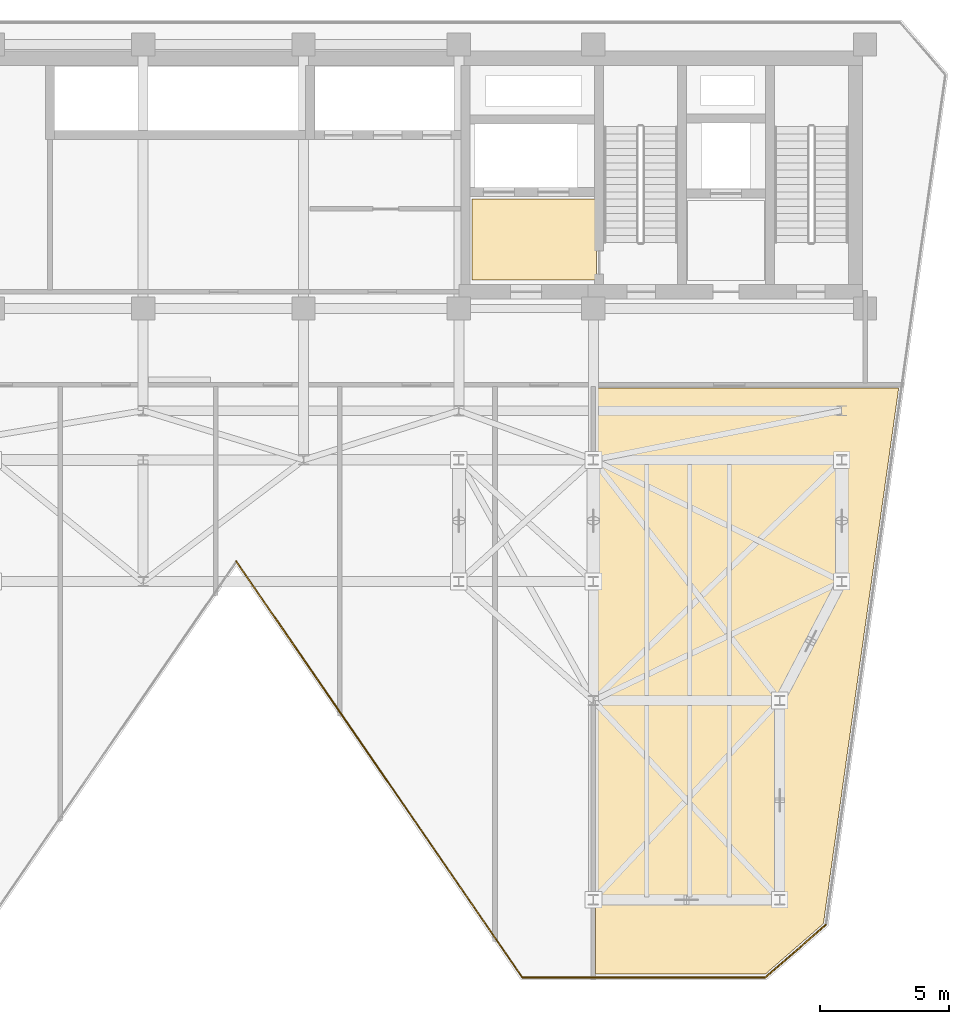
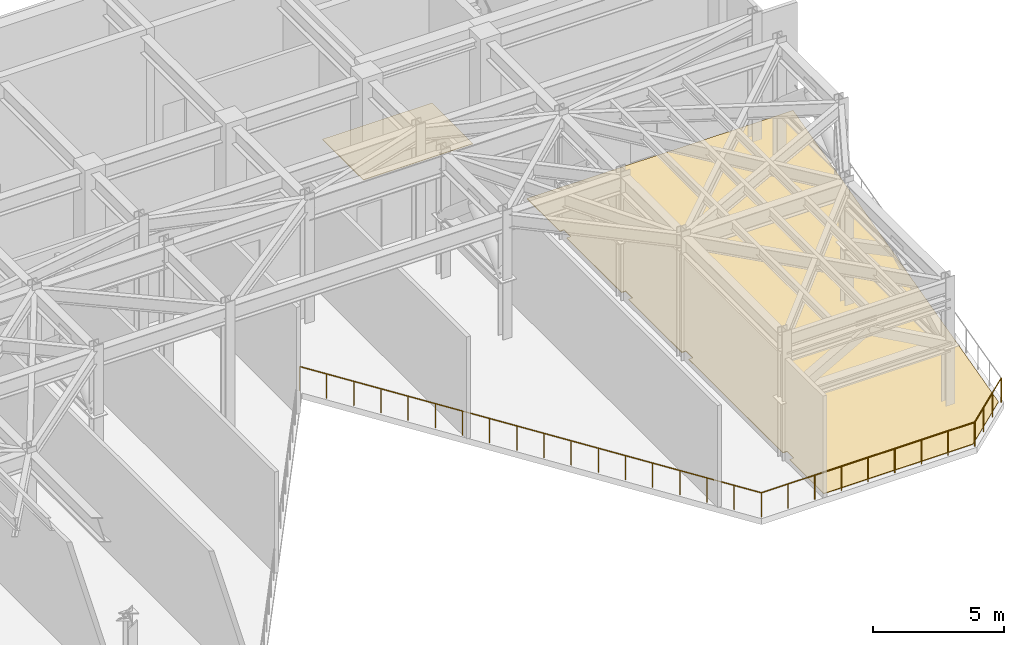
# One storey, part 8 of 12: 3 railings, 2 coverings.
"""IFC4 building model written with IfcOpenShell, lengths in metres."""

import ifcopenshell
import ifcopenshell.guid

model = None  # the IFC model being written
_history = None  # IfcOwnerHistory: only IFC2X3 demands one
_inside = {}  # id of a spatial element -> (the spatial element, [elements in it])
_under = {}  # id of a project, library or spatial element -> (it, [spatial elements below it])
_declared = {}  # id of a project -> (the project, [libraries it declares])
_typed = {}  # id of a type object -> (the type object, [elements of that type])
_made_of = {}  # id of a material, layer set ... -> (it, [elements and type objects made of it])


def new_model(schema):
    """Start an empty IFC model of exactly this schema.

    Asked for "IFC4X3", IfcOpenShell would pick the latest addendum, in which some entities
    have other attributes; the version numbers below select the first issue.
    IFC2X3 requires an IfcOwnerHistory on every rooted entity: one is made here for all.
    """
    global model, _history
    if schema == "IFC4X3":
        model = ifcopenshell.file(schema_version=(4, 3, 0, 0))
    else:
        model = ifcopenshell.file(schema=schema)
    _inside.clear()
    _under.clear()
    _declared.clear()
    _typed.clear()
    _made_of.clear()
    _history = None
    if model.schema == "IFC2X3":
        org = make("IfcOrganization", Name="unknown")
        user = make(
            "IfcPersonAndOrganization",
            ThePerson=make("IfcPerson", FamilyName="unknown"),
            TheOrganization=org,
        )
        app = make(
            "IfcApplication",
            ApplicationDeveloper=org,
            Version="unknown",
            ApplicationFullName="unknown",
            ApplicationIdentifier="unknown",
        )
        _history = make(
            "IfcOwnerHistory",
            OwningUser=user,
            OwningApplication=app,
            ChangeAction="ADDED",
            CreationDate=0,
        )
    return model


def make(cls, **values):
    """One entity of the class cls with the attributes given. An attribute that is None is left unset."""
    return model.create_entity(
        cls, **{name: value for name, value in values.items() if value is not None}
    )


def rooted(cls, **values):
    """An entity with a GlobalId (a new one), such as an element, a storey or a relation."""
    return make(cls, GlobalId=ifcopenshell.guid.new(), OwnerHistory=_history, **values)


def si_unit(unit_type, name, prefix=None):
    """IfcSIUnit, for example si_unit("LENGTHUNIT", "METRE", prefix="MILLI")."""
    return make("IfcSIUnit", UnitType=unit_type, Prefix=prefix, Name=name)


def assignment(units):
    """IfcUnitAssignment: the units of a project."""
    return None if units is None else make("IfcUnitAssignment", Units=units)


def point(xyz):
    """IfcCartesianPoint."""
    return None if xyz is None else make("IfcCartesianPoint", Coordinates=xyz)


def direction(xyz):
    """IfcDirection."""
    return None if xyz is None else make("IfcDirection", DirectionRatios=xyz)


def frame(location, z_axis=None, x_axis=None):
    """IfcAxis2Placement3D, a coordinate frame: its origin and axes. An axis left out is left unset."""
    return make(
        "IfcAxis2Placement3D",
        Location=point(location),
        Axis=direction(z_axis),
        RefDirection=direction(x_axis),
    )


def frame_2d(location, x_axis=None):
    """IfcAxis2Placement2D, a coordinate frame in the plane: its origin and x axis."""
    return make(
        "IfcAxis2Placement2D", Location=point(location), RefDirection=direction(x_axis)
    )


def origin():
    """The frame at (0, 0, 0) with its axes left unset."""
    return frame((0.0, 0.0, 0.0))


def origin_2d():
    """The frame at (0, 0) in the plane with its x axis left unset."""
    return frame_2d((0.0, 0.0))


def place(relative_to, where):
    """IfcLocalPlacement: puts the frame where relative to a parent placement (None: the world)."""
    return make(
        "IfcLocalPlacement", PlacementRelTo=relative_to, RelativePlacement=where
    )


def context(
    kind, dimensions, precision=None, world=None, true_north=None, identifier=None
):
    """IfcGeometricRepresentationContext, for example the 3D "Model" context."""
    return make(
        "IfcGeometricRepresentationContext",
        ContextIdentifier=identifier,
        ContextType=kind,
        CoordinateSpaceDimension=dimensions,
        Precision=precision,
        WorldCoordinateSystem=world,
        TrueNorth=true_north,
    )


def subcontext(parent, identifier, kind, view, scale=None):
    """IfcGeometricRepresentationSubContext, for example "Body" below "Model"."""
    return make(
        "IfcGeometricRepresentationSubContext",
        ContextIdentifier=identifier,
        ContextType=kind,
        ParentContext=parent,
        TargetScale=scale,
        TargetView=view,
    )


def project(units=None, contexts=None):
    """IfcProject with its units and contexts."""
    return rooted(
        "IfcProject",
        Name="project",
        RepresentationContexts=contexts,
        UnitsInContext=assignment(units),
    )


def spatial(cls, under=None, at=None, **own):
    """A site, building, storey or space (cls), placed at a placement, below another one or the project."""
    s = rooted(cls, ObjectPlacement=at, **own)
    if under is not None:
        _under.setdefault(under.id(), (under, []))[1].append(s)
    return s


def polyline(points):
    """IfcPolyline through the points."""
    return make("IfcPolyline", Points=[point(p) for p in points])


def profile(cls, at=None, kind="AREA", **sizes):
    """A parametric profile (cls). Its sizes go by their IFC names, for example OverallWidth=200.0."""
    return make(cls, ProfileType=kind, Position=at, **sizes)


def circle(**sizes):
    """IfcCircleProfileDef."""
    return profile("IfcCircleProfileDef", **sizes)


def outline(outer, holes=None, kind="AREA"):
    """IfcArbitraryClosedProfileDef: a profile drawn as a closed curve; with holes, ...WithVoids."""
    if holes is None:
        return make("IfcArbitraryClosedProfileDef", ProfileType=kind, OuterCurve=outer)
    return make(
        "IfcArbitraryProfileDefWithVoids",
        ProfileType=kind,
        OuterCurve=outer,
        InnerCurves=holes,
    )


def extrude(swept, where, along, depth):
    """IfcExtrudedAreaSolid: the profile swept, set in the frame where, extruded along a direction by depth."""
    return make(
        "IfcExtrudedAreaSolid",
        SweptArea=swept,
        Position=where,
        ExtrudedDirection=direction(along),
        Depth=depth,
    )


def shape(context_of_items, identifier, shape_type, items):
    """IfcShapeRepresentation: the items that make up one representation, for example the "Body"."""
    return make(
        "IfcShapeRepresentation",
        ContextOfItems=context_of_items,
        RepresentationIdentifier=identifier,
        RepresentationType=shape_type,
        Items=items,
    )


def material(Name=None, Category=None):
    """IfcMaterial."""
    return make("IfcMaterial", Name=Name, Category=Category)


def layer(
    of_material, thickness, ventilated=None, Name=None, Category=None, Priority=None
):
    """IfcMaterialLayer: one layer of a wall or slab, of a material (None: an air gap)."""
    return make(
        "IfcMaterialLayer",
        Material=of_material,
        LayerThickness=thickness,
        IsVentilated=ventilated,
        Name=Name,
        Category=Category,
        Priority=Priority,
    )


def layer_set(layers, Name=None):
    """IfcMaterialLayerSet."""
    return make("IfcMaterialLayerSet", MaterialLayers=layers, LayerSetName=Name)


def made_of(thing, what):
    """Note that an element or type object is made of a material, layer set ...; save() writes the relation."""
    if what is not None:
        _made_of.setdefault(what.id(), (what, []))[1].append(thing)
    return thing


def type_object(cls, material=None, **own):
    """A type object (cls), such as IfcWallType, which elements share."""
    return made_of(rooted(cls, **own), material)


def element(
    cls,
    number,
    at=None,
    inside=None,
    cuts=None,
    type_object=None,
    material=None,
    context=None,
    identifier="Body",
    shape_type=None,
    held_by="IfcProductDefinitionShape",
    body=None,
    shapes=None,
    **own,
):
    """One element of the class cls, such as IfcWall. Its Tag is "e" and its number.

    at: its placement. inside: the storey or other place that contains it. cuts: it is an
    opening in that element (IfcRelVoidsElement). A single representation is given by context,
    identifier, shape_type and body (its items); several are given by shapes. held_by: the class
    of the entity that holds the representations. save() writes the other relations.
    """
    e = rooted(cls, Tag="e%d" % number, ObjectPlacement=at, **own)
    if body is not None:
        shapes = [shape(context, identifier, shape_type, body)]
    if shapes is not None:
        e.Representation = make(held_by, Representations=shapes)
    if inside is not None:
        _inside.setdefault(inside.id(), (inside, []))[1].append(e)
    if cuts is not None:
        rooted(
            "IfcRelVoidsElement", RelatingBuildingElement=cuts, RelatedOpeningElement=e
        )
    if type_object is not None:
        _typed.setdefault(type_object.id(), (type_object, []))[1].append(e)
    return made_of(e, material)


def aggregate(whole, parts):
    """IfcRelAggregates: a whole, such as a stair, and the parts it consists of."""
    return rooted("IfcRelAggregates", RelatingObject=whole, RelatedObjects=parts)


def save(model, path):
    """Write the relations noted so far, then the file.

    IfcRelAggregates (storeys below a building ...), IfcRelContainedInSpatialStructure (elements
    in a storey), IfcRelDefinesByType, IfcRelAssociatesMaterial and IfcRelDeclares: one each for
    every whole, place, type object, material and project.
    """
    for whole, parts in _under.values():
        aggregate(whole, parts)
    for where, things in _inside.values():
        rooted(
            "IfcRelContainedInSpatialStructure",
            RelatedElements=things,
            RelatingStructure=where,
        )
    for kind, things in _typed.values():
        rooted("IfcRelDefinesByType", RelatedObjects=things, RelatingType=kind)
    for what, things in _made_of.values():
        rooted("IfcRelAssociatesMaterial", RelatedObjects=things, RelatingMaterial=what)
    for by, libraries in _declared.values():
        rooted("IfcRelDeclares", RelatingContext=by, RelatedDefinitions=libraries)
    model.write(path)


model = new_model("IFC4")

# Units and contexts
model_context = context("Model", 3, precision=1e-05, world=origin(), true_north=direction((0.0, 1.0)))
body_context = subcontext(model_context, "Body", "Model", "MODEL_VIEW")
ifc_project = project(units=[si_unit("LENGTHUNIT", "METRE"), si_unit("AREAUNIT", "SQUARE_METRE"), si_unit("VOLUMEUNIT", "CUBIC_METRE"), si_unit("PLANEANGLEUNIT", "RADIAN"), si_unit("MASSUNIT", "GRAM", prefix="KILO")], contexts=[model_context])

# Site, building, storey
site_placement = place(None, origin())
site = spatial("IfcSite", under=ifc_project, at=site_placement, CompositionType="ELEMENT")
building_placement = place(site_placement, origin())
building = spatial("IfcBuilding", under=site, at=building_placement, Name="Kravanh Interchange Tower", CompositionType="ELEMENT")
storey_placement = place(building_placement, frame((0.0, 0.0, 225.0)))
storey = spatial("IfcBuildingStorey", under=building, at=storey_placement, Name="L54", CompositionType="ELEMENT", Elevation=225.0)

# Coverings
ifc_material_1 = material(Name="Cementitious Terrazzo Tile")
ifc_layer_1 = layer(ifc_material_1, 0.030029296875)
ifc_layer_set_1 = layer_set([ifc_layer_1], Name="Honed Terrazzo Lobby Flooring 30mm")
covering_type = type_object("IfcCoveringType", Name="Honed Terrazzo Lobby Flooring 30mm", PredefinedType="FLOORING", material=ifc_layer_set_1)
covering_1_placement = place(storey_placement, origin())
element("IfcCovering", 1, at=covering_1_placement, inside=storey, type_object=covering_type, Name="L54 Firefighting Lobby Floor Finish", PredefinedType="FLOORING", context=body_context, shape_type="SweptSolid", body=[
    extrude(outline(polyline([(56.1201171875, 38.4599609375), (51.300048828125, 38.4599609375), (51.300048828125, 41.580078125), (56.1201171875, 41.580078125), (56.1201171875, 38.4599609375)])), origin(), (0.0, 0.0, 1.0), 0.030029296875),
])
covering_2_placement = place(storey_placement, origin())
element("IfcCovering", 2, at=covering_2_placement, inside=storey, type_object=covering_type, Name="L54 Refuge Holding Area Floor Finish", PredefinedType="FLOORING", context=body_context, shape_type="SweptSolid", body=[
    extrude(outline(polyline([(56.080078125, 14.760498046875), (56.080078125, 21.939453125), (56.259521484375, 21.939453125), (56.259521484375, 22.46044921875), (56.080078125, 22.46044921875), (56.080078125, 26.53955078125), (56.259521484375, 26.53955078125), (56.259521484375, 27.060546875), (56.080078125, 27.060546875), (56.080078125, 31.239501953125), (56.259521484375, 31.239501953125), (56.259521484375, 31.760498046875), (56.080078125, 31.760498046875), (56.080078125, 34.27001953125), (67.798095703125, 34.27001953125), (64.890625, 13.58154296875), (62.6455078125, 11.6298828125), (56.080078125, 11.6298828125), (56.080078125, 14.239501953125), (56.259521484375, 14.239501953125), (56.259521484375, 14.760498046875), (56.080078125, 14.760498046875)])), origin(), (0.0, 0.0, 1.0), 0.030029296875),
])

# Railings
ifc_material_2 = material(Name="Structural Steel S355", Category="steel")
ifc_layer_2 = layer(ifc_material_2, 0.070068359375)
ifc_layer_set_2 = layer_set([ifc_layer_2], Name="Wind Storey Perimeter Safety Guardrail Structural Steel S355 1150mm")
railing_type = type_object("IfcRailingType", Name="Wind Storey Perimeter Safety Guardrail Structural Steel S355 1150mm", PredefinedType="GUARDRAIL", material=ifc_layer_set_2)
railing_1_placement = place(storey_placement, frame((64.984375, 13.530517578125, 0.0)))
element("IfcRailing", 3, at=railing_1_placement, inside=storey, type_object=railing_type, Name="L54 Open Wind Floor Perimeter Guardrail 6", PredefinedType="GUARDRAIL", context=body_context, shape_type="SweptSolid", body=[
    extrude(circle(Radius=0.02392578125, at=origin_2d()), frame((0.0, 0.0, 1.1259765625), z_axis=(-0.754722683688, -0.656043954874, 0.0), x_axis=(0.656043954874, -0.754722683688, 0.0)), (0.0, 0.0, 1.0), 3.09521484375),
    extrude(circle(Radius=0.02099609375, at=origin_2d()), origin(), (0.0, 0.0, 1.0), 1.101806640625),
    extrude(circle(Radius=0.02099609375, at=origin_2d()), frame((-0.778564453125, -0.6767578125, 0.0)), (0.0, 0.0, 1.0), 1.101806640625),
    extrude(circle(Radius=0.02099609375, at=origin_2d()), frame((-1.557373046875, -1.353759765625, 0.0)), (0.0, 0.0, 1.0), 1.101806640625),
    extrude(circle(Radius=0.02099609375, at=origin_2d()), frame((-2.3359375, -2.030517578125, 0.0)), (0.0, 0.0, 1.0), 1.101806640625),
])
railing_2_placement = place(storey_placement, frame((62.6484375, 11.5, 0.0)))
element("IfcRailing", 4, at=railing_2_placement, inside=storey, type_object=railing_type, Name="L54 Open Wind Floor Perimeter Guardrail 7", PredefinedType="GUARDRAIL", context=body_context, shape_type="SweptSolid", body=[
    extrude(circle(Radius=0.02392578125, at=origin_2d()), frame((0.0, 0.0, 1.1259765625), z_axis=(-1.0, 0.0, 0.0), x_axis=(0.0, -1.0, 0.0)), (0.0, 0.0, 1.0), 9.395751953125),
    extrude(circle(Radius=0.02099609375, at=origin_2d()), origin(), (0.0, 0.0, 1.0), 1.101806640625),
    extrude(circle(Radius=0.02099609375, at=origin_2d()), frame((-1.174560546875, 0.0, 0.0)), (0.0, 0.0, 1.0), 1.101806640625),
    extrude(circle(Radius=0.02099609375, at=origin_2d()), frame((-2.348876953125, 0.0, 0.0)), (0.0, 0.0, 1.0), 1.101806640625),
    extrude(circle(Radius=0.02099609375, at=origin_2d()), frame((-3.5234375, 0.0, 0.0)), (0.0, 0.0, 1.0), 1.101806640625),
    extrude(circle(Radius=0.02099609375, at=origin_2d()), frame((-4.69775390625, 0.0, 0.0)), (0.0, 0.0, 1.0), 1.101806640625),
    extrude(circle(Radius=0.02099609375, at=origin_2d()), frame((-5.872314453125, 0.0, 0.0)), (0.0, 0.0, 1.0), 1.101806640625),
    extrude(circle(Radius=0.02099609375, at=origin_2d()), frame((-7.046875, 0.0, 0.0)), (0.0, 0.0, 1.0), 1.101806640625),
    extrude(circle(Radius=0.02099609375, at=origin_2d()), frame((-8.22119140625, 0.0, 0.0)), (0.0, 0.0, 1.0), 1.101806640625),
    extrude(circle(Radius=0.02099609375, at=origin_2d()), frame((-9.395751953125, 0.0, 0.0)), (0.0, 0.0, 1.0), 1.101806640625),
])
railing_3_placement = place(storey_placement, frame((53.252685546875, 11.5, 0.0)))
element("IfcRailing", 5, at=railing_3_placement, inside=storey, type_object=railing_type, Name="L54 Open Wind Floor Perimeter Guardrail 8", PredefinedType="GUARDRAIL", context=body_context, shape_type="SweptSolid", body=[
    extrude(circle(Radius=0.02392578125, at=origin_2d()), frame((0.0, 0.0, 1.1259765625), z_axis=(-0.566535727166, 0.824037177465, 0.0), x_axis=(-0.824037177465, -0.566535727166, 0.0)), (0.0, 0.0, 1.0), 19.50927734375),
    extrude(circle(Radius=0.02099609375, at=origin_2d()), origin(), (0.0, 0.0, 1.0), 1.101806640625),
    extrude(circle(Radius=0.02099609375, at=origin_2d()), frame((-0.650146484375, 0.945556640625, 0.0)), (0.0, 0.0, 1.0), 1.101806640625),
    extrude(circle(Radius=0.02099609375, at=origin_2d()), frame((-1.30029296875, 1.891357421875, 0.0)), (0.0, 0.0, 1.0), 1.101806640625),
    extrude(circle(Radius=0.02099609375, at=origin_2d()), frame((-1.950439453125, 2.8369140625, 0.0)), (0.0, 0.0, 1.0), 1.101806640625),
    extrude(circle(Radius=0.02099609375, at=origin_2d()), frame((-2.6005859375, 3.78271484375, 0.0)), (0.0, 0.0, 1.0), 1.101806640625),
    extrude(circle(Radius=0.02099609375, at=origin_2d()), frame((-3.250732421875, 4.728271484375, 0.0)), (0.0, 0.0, 1.0), 1.101806640625),
    extrude(circle(Radius=0.02099609375, at=origin_2d()), frame((-3.90087890625, 5.674072265625, 0.0)), (0.0, 0.0, 1.0), 1.101806640625),
    extrude(circle(Radius=0.02099609375, at=origin_2d()), frame((-4.551025390625, 6.61962890625, 0.0)), (0.0, 0.0, 1.0), 1.101806640625),
    extrude(circle(Radius=0.02099609375, at=origin_2d()), frame((-5.201171875, 7.5654296875, 0.0)), (0.0, 0.0, 1.0), 1.101806640625),
    extrude(circle(Radius=0.02099609375, at=origin_2d()), frame((-5.8515625, 8.510986328125, 0.0)), (0.0, 0.0, 1.0), 1.101806640625),
    extrude(circle(Radius=0.02099609375, at=origin_2d()), frame((-6.501708984375, 9.456787109375, 0.0)), (0.0, 0.0, 1.0), 1.101806640625),
    extrude(circle(Radius=0.02099609375, at=origin_2d()), frame((-7.15185546875, 10.40234375, 0.0)), (0.0, 0.0, 1.0), 1.101806640625),
    extrude(circle(Radius=0.02099609375, at=origin_2d()), frame((-7.802001953125, 11.34814453125, 0.0)), (0.0, 0.0, 1.0), 1.101806640625),
    extrude(circle(Radius=0.02099609375, at=origin_2d()), frame((-8.4521484375, 12.293701171875, 0.0)), (0.0, 0.0, 1.0), 1.101806640625),
    extrude(circle(Radius=0.02099609375, at=origin_2d()), frame((-9.102294921875, 13.239501953125, 0.0)), (0.0, 0.0, 1.0), 1.101806640625),
    extrude(circle(Radius=0.02099609375, at=origin_2d()), frame((-9.75244140625, 14.18505859375, 0.0)), (0.0, 0.0, 1.0), 1.101806640625),
    extrude(circle(Radius=0.02099609375, at=origin_2d()), frame((-10.402587890625, 15.130859375, 0.0)), (0.0, 0.0, 1.0), 1.101806640625),
    extrude(circle(Radius=0.02099609375, at=origin_2d()), frame((-11.052734375, 16.076416015625, 0.0)), (0.0, 0.0, 1.0), 1.101806640625),
])

save(model, "model.ifc")
